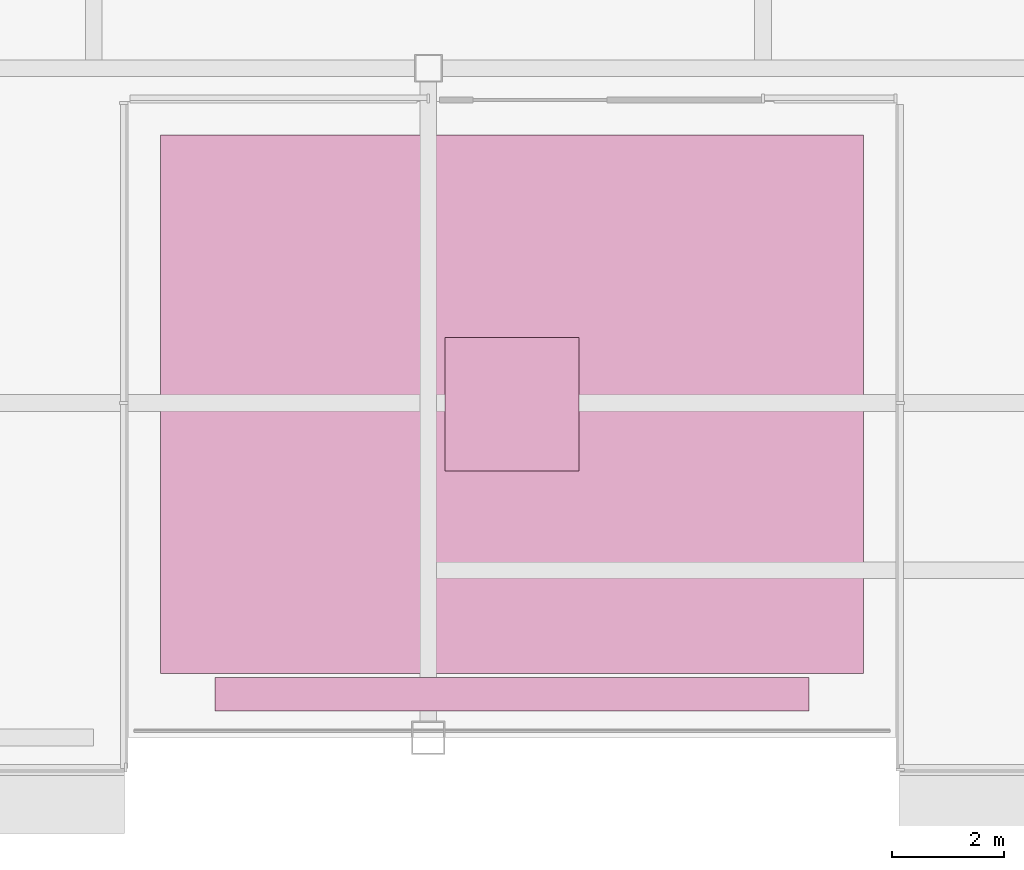
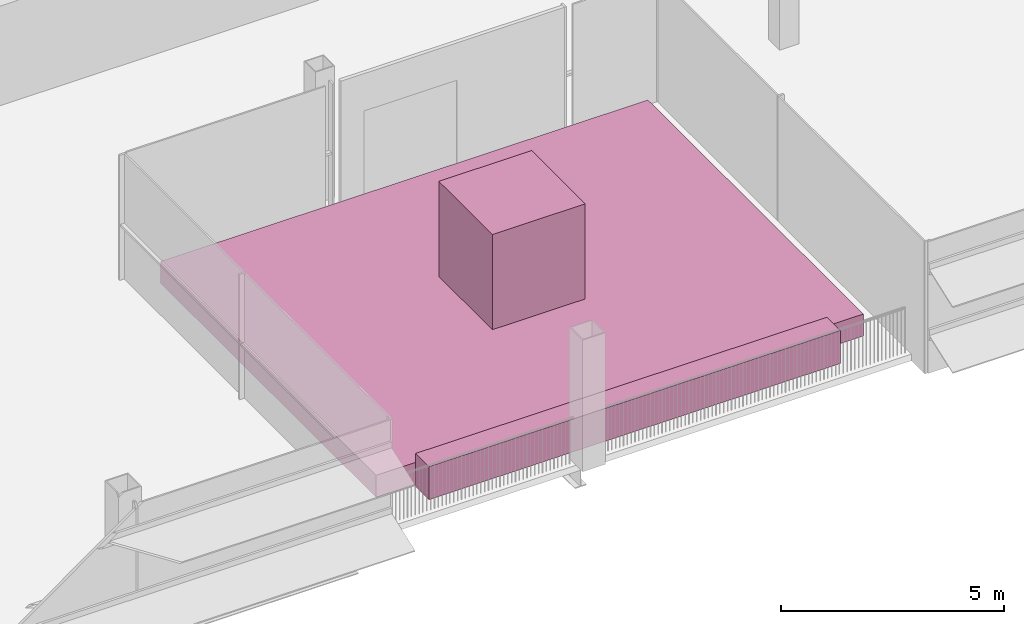
# One storey, part 30 of 30: 3 furniture elements.
"""IFC4 building model written with IfcOpenShell, lengths in metres."""

from ifc_helpers import new_model, si_unit, direction, frame, origin, origin_2d, place, context, subcontext, project, spatial, rectangle, extrude, material, type_object, element, save


model = new_model("IFC4")

# Units and contexts
model_context = context("Model", 3, precision=1e-05, world=origin(), true_north=direction((0.0, 1.0)))
body_context = subcontext(model_context, "Body", "Model", "MODEL_VIEW")
ifc_project = project(units=[si_unit("LENGTHUNIT", "METRE"), si_unit("AREAUNIT", "SQUARE_METRE"), si_unit("VOLUMEUNIT", "CUBIC_METRE"), si_unit("PLANEANGLEUNIT", "RADIAN"), si_unit("MASSUNIT", "GRAM", prefix="KILO")], contexts=[model_context])

# Site, building, storey
site_placement = place(None, origin())
site = spatial("IfcSite", under=ifc_project, at=site_placement, CompositionType="ELEMENT")
building_placement = place(site_placement, origin())
building = spatial("IfcBuilding", under=site, at=building_placement, Name="Sorahane Residences", CompositionType="ELEMENT")
storey_placement = place(building_placement, frame((0.0, 0.0, 263.0)))
storey = spatial("IfcBuildingStorey", under=building, at=storey_placement, Name="L62", CompositionType="ELEMENT", Elevation=263.0)

# Furniture
ifc_material_1 = material(Name="Planting soil with shrubs in a steel-framed bed", Category="steel")
furniture_type_1 = type_object("IfcFurnitureType", Name="PLANTER bed black steel frame with soil 12600x9650", AssemblyPlace="NOTDEFINED", PredefinedType="NOTDEFINED", material=ifc_material_1)
furniture_1_placement = place(storey_placement, frame((37.5, 5.97509765625, 0.0), z_axis=(0.0, 0.0, 1.0), x_axis=(1.0, 0.0, 0.0)))
element("IfcFurniture", 1, at=furniture_1_placement, inside=storey, type_object=furniture_type_1, Name="PLANTER bed L62.1.1", PredefinedType="NOTDEFINED", context=body_context, shape_type="SweptSolid", body=[
    extrude(rectangle(XDim=12.60009765625, YDim=9.64990234375, at=origin_2d()), origin(), (0.0, 0.0, 1.0), 0.60009765625),
])
ifc_material_2 = material(Name="Planting soil with hedge in a steel-framed trough", Category="steel")
furniture_type_2 = type_object("IfcFurnitureType", Name="PLANTER hedge strip black steel frame with soil", AssemblyPlace="NOTDEFINED", PredefinedType="NOTDEFINED", material=ifc_material_2)
furniture_2_placement = place(storey_placement, frame((37.5, 0.780029296875, 0.0), z_axis=(0.0, 0.0, 1.0), x_axis=(-1.0, 0.0, 0.0)))
element("IfcFurniture", 2, at=furniture_2_placement, inside=storey, type_object=furniture_type_2, Name="PLANTER hedge L62.1.1", PredefinedType="NOTDEFINED", context=body_context, shape_type="SweptSolid", body=[
    extrude(rectangle(XDim=10.639892578125, YDim=0.60009765625, at=origin_2d()), origin(), (0.0, 0.0, 1.0), 0.89990234375),
])
ifc_material_3 = material(Name="Green foliage shrub planting")
furniture_type_3 = type_object("IfcFurnitureType", Name="PLANTER shrub planting green foliage", AssemblyPlace="NOTDEFINED", PredefinedType="NOTDEFINED", material=ifc_material_3)
furniture_3_placement = place(storey_placement, frame((37.5, 5.97509765625, 0.599853515625), z_axis=(0.0, 0.0, 1.0), x_axis=(1.0, 0.0, 0.0)))
element("IfcFurniture", 3, at=furniture_3_placement, inside=storey, type_object=furniture_type_3, Name="PLANTER shrub L62.1.1", PredefinedType="NOTDEFINED", context=body_context, shape_type="SweptSolid", body=[
    extrude(rectangle(XDim=2.39990234375, YDim=2.39990234375, at=origin_2d()), origin(), (0.0, 0.0, 1.0), 2.60009765625),
])

save(model, "model.ifc")
